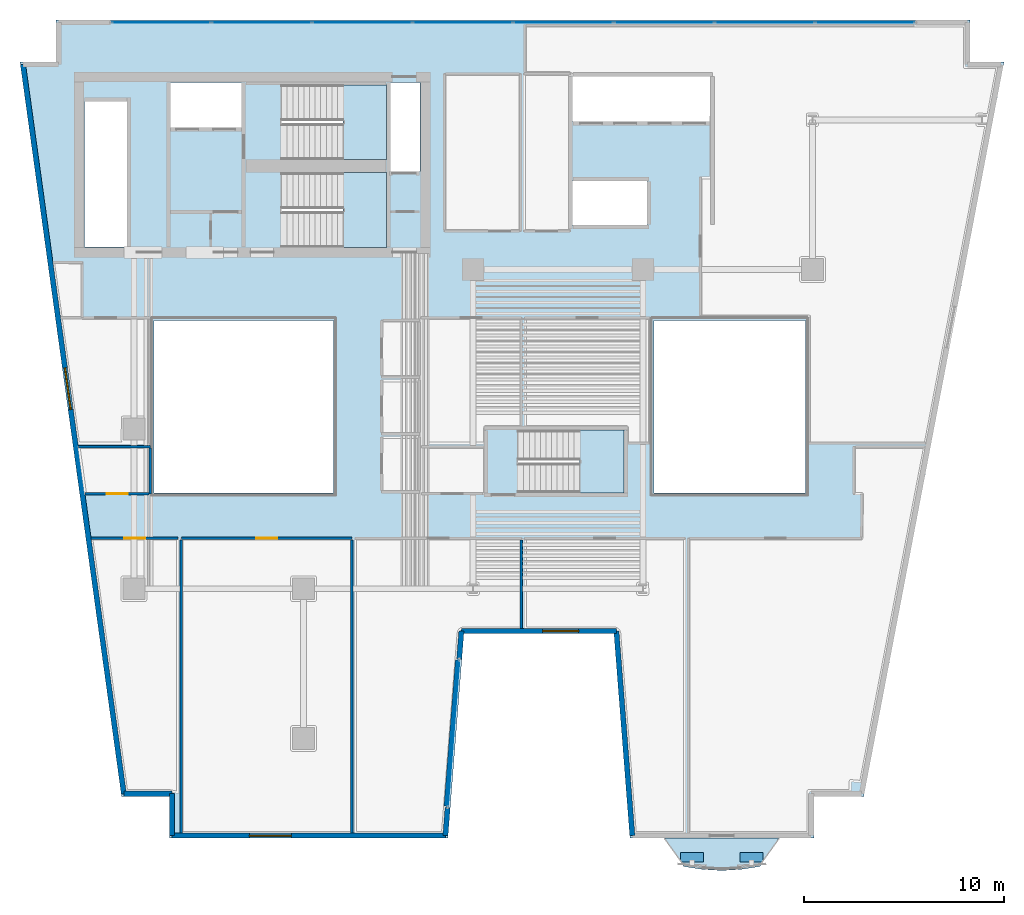
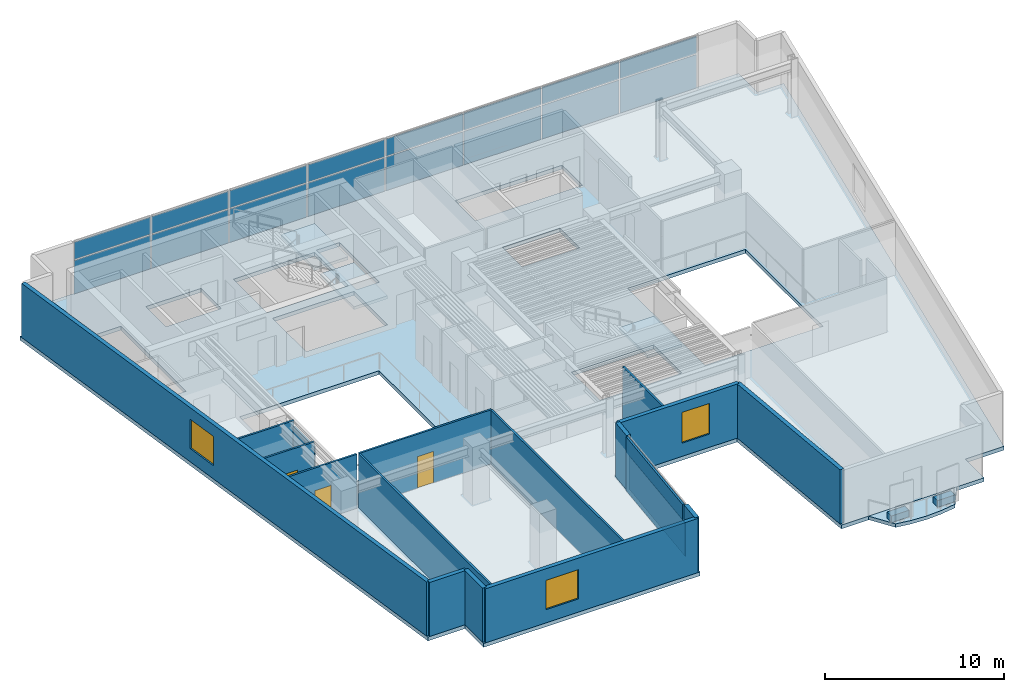
# One storey, part 5 of 12: 20 plates, 17 walls, 5 slabs, 3 doors, 3 windows, 6 openings, 5 elements without a shape of their own.
"""IFC4 building model written with IfcOpenShell, lengths in metres."""

from ifc_helpers import new_model, si_unit, direction, frame, frame_2d, origin, origin_2d, place, context, subcontext, project, spatial, polyline, rectangle, outline, extrude, material, layer, layer_set, type_object, element, fill, aggregate, save


model = new_model("IFC4")

# Units and contexts
model_context = context("Model", 3, precision=1e-05, world=origin(), true_north=direction((0.0, 1.0)))
body_context = subcontext(model_context, "Body", "Model", "MODEL_VIEW")
ifc_project = project(units=[si_unit("LENGTHUNIT", "METRE"), si_unit("AREAUNIT", "SQUARE_METRE"), si_unit("VOLUMEUNIT", "CUBIC_METRE"), si_unit("PLANEANGLEUNIT", "RADIAN"), si_unit("MASSUNIT", "GRAM", prefix="KILO")], contexts=[model_context])

# Site, building, storey
site_placement = place(None, origin())
site = spatial("IfcSite", under=ifc_project, at=site_placement, CompositionType="ELEMENT")
building_placement = place(site_placement, origin())
building = spatial("IfcBuilding", under=site, at=building_placement, Name="Caeloran Harvest Quay", CompositionType="ELEMENT")
storey_placement = place(building_placement, frame((0.0, 0.0, 146.949951171875)))
storey = spatial("IfcBuildingStorey", under=building, at=storey_placement, Name="L34", CompositionType="ELEMENT", Elevation=146.949951171875)

# Slab
ifc_material_1 = material(Name="Concrete C50/60", Category="concrete")
ifc_layer_1 = layer(ifc_material_1, 0.239990234375, Name="Concrete C50/60")
ifc_layer_set_1 = layer_set([ifc_layer_1], Name="Concrete C50/60")
slab_type_1 = type_object("IfcSlabType", Name="BALCONY-BL-240", PredefinedType="FLOOR", material=ifc_layer_set_1)
slab_1_placement = place(storey_placement, frame((0.0, 0.0, -0.239990234375)))
element("IfcSlab", 1, at=slab_1_placement, inside=storey, type_object=slab_type_1, Name="L34 Scalloped Cantilevered Planted Balcony Slab", PredefinedType="FLOOR", context=body_context, shape_type="SweptSolid", body=[
    extrude(outline(polyline([(39.869873046875, 1.080078125), (38.913818359375, 0.93359375), (37.95751953125, 0.8798828125), (37.001220703125, 0.93359375), (36.045166015625, 1.080078125), (35.102294921875, 2.5), (40.812744140625, 2.5), (39.869873046875, 1.080078125)])), origin(), (0.0, 0.0, 1.0), 0.239990234375),
])

# Curtain wall, plates
ifc_material_2 = material(Name="Aluminium 6063-T6 and Low-E Glazing", Category="aluminium")
ifc_layer_2 = layer(ifc_material_2, 0.18994140625, Name="Aluminium 6063-T6 and Low-E Glazing")
ifc_layer_set_2 = layer_set([ifc_layer_2], Name="Aluminium 6063-T6 and Low-E Glazing")
curtain_wall_type = type_object("IfcCurtainWallType", Name="CW-SYS-CW-3", PredefinedType="USERDEFINED", material=ifc_layer_set_2)
curtain_wall_1_placement = place(storey_placement, origin())
curtain_wall_1 = element("IfcCurtainWall", 2, at=curtain_wall_1_placement, inside=storey, type_object=curtain_wall_type, Name="L34 Unitised Curtain Wall CW-3 Run 6", ObjectType="CURTAIN_WALL", PredefinedType="USERDEFINED")
ifc_material_3 = material(Name="Low-E Double Glazed Vision Glass Unit", Category="glass")
ifc_layer_3 = layer(ifc_material_3, 0.035888671875, Name="Low-E Double Glazed Vision Glass Unit")
ifc_layer_set_3 = layer_set([ifc_layer_3], Name="Low-E Double Glazed Vision Glass Unit")
plate_type_1 = type_object("IfcPlateType", Name="CW-VISION-PANEL", PredefinedType="CURTAIN_PANEL", material=ifc_layer_set_3)
plate_1_placement = place(storey_placement, frame((9.871337890625, 43.3701171875, 0.080078125), z_axis=(0.0, 0.0, 1.0), x_axis=(1.0, 0.0, 0.0)))
plate_1 = element("IfcPlate", 3, at=plate_1_placement, type_object=plate_type_1, Name="CW-3 panel 1.1", PredefinedType="CURTAIN_PANEL", context=body_context, shape_type="SweptSolid", body=[
    extrude(rectangle(XDim=4.922607421875, YDim=0.035888671875, at=origin_2d()), origin(), (0.0, 0.0, 1.0), 2.280029296875),
])
plate_2_placement = place(storey_placement, frame((9.871337890625, 43.3701171875, 2.440185546875), z_axis=(0.0, 0.0, 1.0), x_axis=(1.0, 0.0, 0.0)))
plate_2 = element("IfcPlate", 4, at=plate_2_placement, type_object=plate_type_1, Name="CW-3 panel 1.2", PredefinedType="CURTAIN_PANEL", context=body_context, shape_type="SweptSolid", body=[
    extrude(rectangle(XDim=4.922607421875, YDim=0.035888671875, at=origin_2d()), origin(), (0.0, 0.0, 1.0), 1.169921875),
])
plate_3_placement = place(storey_placement, frame((14.893798828125, 43.3701171875, 0.080078125), z_axis=(0.0, 0.0, 1.0), x_axis=(1.0, 0.0, 0.0)))
plate_3 = element("IfcPlate", 5, at=plate_3_placement, type_object=plate_type_1, Name="CW-3 panel 2.1", PredefinedType="CURTAIN_PANEL", context=body_context, shape_type="SweptSolid", body=[
    extrude(rectangle(XDim=4.96240234375, YDim=0.035888671875, at=origin_2d()), origin(), (0.0, 0.0, 1.0), 2.280029296875),
])
plate_4_placement = place(storey_placement, frame((14.893798828125, 43.3701171875, 2.440185546875), z_axis=(0.0, 0.0, 1.0), x_axis=(1.0, 0.0, 0.0)))
plate_4 = element("IfcPlate", 6, at=plate_4_placement, type_object=plate_type_1, Name="CW-3 panel 2.2", PredefinedType="CURTAIN_PANEL", context=body_context, shape_type="SweptSolid", body=[
    extrude(rectangle(XDim=4.96240234375, YDim=0.035888671875, at=origin_2d()), origin(), (0.0, 0.0, 1.0), 1.169921875),
])
plate_5_placement = place(storey_placement, frame((19.936279296875, 43.3701171875, 0.080078125), z_axis=(0.0, 0.0, 1.0), x_axis=(1.0, 0.0, 0.0)))
plate_5 = element("IfcPlate", 7, at=plate_5_placement, type_object=plate_type_1, Name="CW-3 panel 3.1", PredefinedType="CURTAIN_PANEL", context=body_context, shape_type="SweptSolid", body=[
    extrude(rectangle(XDim=4.96240234375, YDim=0.035888671875, at=origin_2d()), origin(), (0.0, 0.0, 1.0), 2.280029296875),
])
plate_6_placement = place(storey_placement, frame((19.936279296875, 43.3701171875, 2.440185546875), z_axis=(0.0, 0.0, 1.0), x_axis=(1.0, 0.0, 0.0)))
plate_6 = element("IfcPlate", 8, at=plate_6_placement, type_object=plate_type_1, Name="CW-3 panel 3.2", PredefinedType="CURTAIN_PANEL", context=body_context, shape_type="SweptSolid", body=[
    extrude(rectangle(XDim=4.96240234375, YDim=0.035888671875, at=origin_2d()), origin(), (0.0, 0.0, 1.0), 1.169921875),
])
plate_7_placement = place(storey_placement, frame((24.978759765625, 43.3701171875, 0.080078125), z_axis=(0.0, 0.0, 1.0), x_axis=(1.0, 0.0, 0.0)))
plate_7 = element("IfcPlate", 9, at=plate_7_placement, type_object=plate_type_1, Name="CW-3 panel 4.1", PredefinedType="CURTAIN_PANEL", context=body_context, shape_type="SweptSolid", body=[
    extrude(rectangle(XDim=4.96240234375, YDim=0.035888671875, at=origin_2d()), origin(), (0.0, 0.0, 1.0), 2.280029296875),
])
plate_8_placement = place(storey_placement, frame((24.978759765625, 43.3701171875, 2.440185546875), z_axis=(0.0, 0.0, 1.0), x_axis=(1.0, 0.0, 0.0)))
plate_8 = element("IfcPlate", 10, at=plate_8_placement, type_object=plate_type_1, Name="CW-3 panel 4.2", PredefinedType="CURTAIN_PANEL", context=body_context, shape_type="SweptSolid", body=[
    extrude(rectangle(XDim=4.96240234375, YDim=0.035888671875, at=origin_2d()), origin(), (0.0, 0.0, 1.0), 1.169921875),
])
plate_9_placement = place(storey_placement, frame((30.021240234375, 43.3701171875, 0.080078125), z_axis=(0.0, 0.0, 1.0), x_axis=(1.0, 0.0, 0.0)))
plate_9 = element("IfcPlate", 11, at=plate_9_placement, type_object=plate_type_1, Name="CW-3 panel 5.1", PredefinedType="CURTAIN_PANEL", context=body_context, shape_type="SweptSolid", body=[
    extrude(rectangle(XDim=4.96240234375, YDim=0.035888671875, at=origin_2d()), origin(), (0.0, 0.0, 1.0), 2.280029296875),
])
plate_10_placement = place(storey_placement, frame((30.021240234375, 43.3701171875, 2.440185546875), z_axis=(0.0, 0.0, 1.0), x_axis=(1.0, 0.0, 0.0)))
plate_10 = element("IfcPlate", 12, at=plate_10_placement, type_object=plate_type_1, Name="CW-3 panel 5.2", PredefinedType="CURTAIN_PANEL", context=body_context, shape_type="SweptSolid", body=[
    extrude(rectangle(XDim=4.96240234375, YDim=0.035888671875, at=origin_2d()), origin(), (0.0, 0.0, 1.0), 1.169921875),
])
plate_11_placement = place(storey_placement, frame((35.063720703125, 43.3701171875, 0.080078125), z_axis=(0.0, 0.0, 1.0), x_axis=(1.0, 0.0, 0.0)))
plate_11 = element("IfcPlate", 13, at=plate_11_placement, type_object=plate_type_1, Name="CW-3 panel 6.1", PredefinedType="CURTAIN_PANEL", context=body_context, shape_type="SweptSolid", body=[
    extrude(rectangle(XDim=4.96240234375, YDim=0.035888671875, at=origin_2d()), origin(), (0.0, 0.0, 1.0), 2.280029296875),
])
plate_12_placement = place(storey_placement, frame((35.063720703125, 43.3701171875, 2.440185546875), z_axis=(0.0, 0.0, 1.0), x_axis=(1.0, 0.0, 0.0)))
plate_12 = element("IfcPlate", 14, at=plate_12_placement, type_object=plate_type_1, Name="CW-3 panel 6.2", PredefinedType="CURTAIN_PANEL", context=body_context, shape_type="SweptSolid", body=[
    extrude(rectangle(XDim=4.96240234375, YDim=0.035888671875, at=origin_2d()), origin(), (0.0, 0.0, 1.0), 1.169921875),
])
plate_13_placement = place(storey_placement, frame((40.106201171875, 43.3701171875, 0.080078125), z_axis=(0.0, 0.0, 1.0), x_axis=(1.0, 0.0, 0.0)))
plate_13 = element("IfcPlate", 15, at=plate_13_placement, type_object=plate_type_1, Name="CW-3 panel 7.1", PredefinedType="CURTAIN_PANEL", context=body_context, shape_type="SweptSolid", body=[
    extrude(rectangle(XDim=4.96240234375, YDim=0.035888671875, at=origin_2d()), origin(), (0.0, 0.0, 1.0), 2.280029296875),
])
plate_14_placement = place(storey_placement, frame((40.106201171875, 43.3701171875, 2.440185546875), z_axis=(0.0, 0.0, 1.0), x_axis=(1.0, 0.0, 0.0)))
plate_14 = element("IfcPlate", 16, at=plate_14_placement, type_object=plate_type_1, Name="CW-3 panel 7.2", PredefinedType="CURTAIN_PANEL", context=body_context, shape_type="SweptSolid", body=[
    extrude(rectangle(XDim=4.96240234375, YDim=0.035888671875, at=origin_2d()), origin(), (0.0, 0.0, 1.0), 1.169921875),
])
plate_15_placement = place(storey_placement, frame((45.128662109375, 43.3701171875, 0.080078125), z_axis=(0.0, 0.0, 1.0), x_axis=(1.0, 0.0, 0.0)))
plate_15 = element("IfcPlate", 17, at=plate_15_placement, type_object=plate_type_1, Name="CW-3 panel 8.1", PredefinedType="CURTAIN_PANEL", context=body_context, shape_type="SweptSolid", body=[
    extrude(rectangle(XDim=4.922607421875, YDim=0.035888671875, at=origin_2d()), origin(), (0.0, 0.0, 1.0), 2.280029296875),
])
plate_16_placement = place(storey_placement, frame((45.128662109375, 43.3701171875, 2.440185546875), z_axis=(0.0, 0.0, 1.0), x_axis=(1.0, 0.0, 0.0)))
plate_16 = element("IfcPlate", 18, at=plate_16_placement, type_object=plate_type_1, Name="CW-3 panel 8.2", PredefinedType="CURTAIN_PANEL", context=body_context, shape_type="SweptSolid", body=[
    extrude(rectangle(XDim=4.922607421875, YDim=0.035888671875, at=origin_2d()), origin(), (0.0, 0.0, 1.0), 1.169921875),
])
aggregate(curtain_wall_1, [plate_1, plate_2, plate_3, plate_4, plate_5, plate_6, plate_7, plate_8, plate_9, plate_10, plate_11, plate_12, plate_13, plate_14, plate_15, plate_16])

curtain_wall_2_placement = place(storey_placement, origin())
curtain_wall_2 = element("IfcCurtainWall", 19, at=curtain_wall_2_placement, inside=storey, type_object=curtain_wall_type, Name="L34 Unitised Curtain Wall CW-3 Run 15", ObjectType="CURTAIN_WALL", PredefinedType="USERDEFINED")
plate_17_placement = place(storey_placement, frame((24.509765625, 7.7548828125, 0.080078125), z_axis=(0.0, 0.0, 1.0), x_axis=(-0.077821861046, -0.996967280277, 0.0)))
plate_17 = element("IfcPlate", 20, at=plate_17_placement, type_object=plate_type_1, Name="CW-3 panel 1.1", PredefinedType="CURTAIN_PANEL", context=body_context, shape_type="SweptSolid", body=[
    extrude(rectangle(XDim=7.3212890625, YDim=0.035888671875, at=origin_2d()), origin(), (0.0, 0.0, 1.0), 2.280029296875),
])
plate_18_placement = place(storey_placement, frame((24.509765625, 7.7548828125, 2.440185546875), z_axis=(0.0, 0.0, 1.0), x_axis=(-0.077821861046, -0.996967280277, 0.0)))
plate_18 = element("IfcPlate", 21, at=plate_18_placement, type_object=plate_type_1, Name="CW-3 panel 1.2", PredefinedType="CURTAIN_PANEL", context=body_context, shape_type="SweptSolid", body=[
    extrude(rectangle(XDim=7.3212890625, YDim=0.035888671875, at=origin_2d()), origin(), (0.0, 0.0, 1.0), 1.169921875),
])
aggregate(curtain_wall_2, [plate_17, plate_18])

# Plates
ifc_material_4 = material(Name="Precast concrete C50/60", Category="concrete")
ifc_layer_4 = layer(ifc_material_4, 0.449951171875, Name="Precast concrete C50/60")
ifc_layer_set_4 = layer_set([ifc_layer_4], Name="Precast concrete C50/60")
plate_type_2 = type_object("IfcPlateType", Name="PLANTER-TROUGH-450", PredefinedType="USERDEFINED", material=ifc_layer_set_4)
for number, where, z_axis, x_axis, name in (
    (22, (39.44921875, 1.544921875, 0.0), (0.0, 0.0, 1.0), (1.0, 0.0, 0.0), "L34 Balcony Vertical-Greenery Precast PLANTER Trough 1"),
    (23, (36.4658203125, 1.544921875, 0.0), (0.0, 0.0, 1.0), (1.0, 0.0, 0.0), "L34 Balcony Vertical-Greenery Precast PLANTER Trough 2"),
):
    element("IfcPlate", number, at=place(storey_placement, frame(where, z_axis=z_axis, x_axis=x_axis)), inside=storey, type_object=plate_type_2, Name=name, ObjectType="PLANTER", PredefinedType="USERDEFINED", context=body_context, shape_type="SweptSolid", body=[
        extrude(rectangle(XDim=1.14990234375, YDim=0.47998046875, at=origin_2d()), origin(), (0.0, 0.0, 1.0), 0.449951171875),
    ])

# Slab
ifc_layer_5 = layer(ifc_material_1, 0.260009765625, Name="Concrete C50/60")
ifc_layer_set_5 = layer_set([ifc_layer_5], Name="Concrete C50/60")
slab_type_2 = type_object("IfcSlabType", Name="SLAB-FS-260", PredefinedType="FLOOR", material=ifc_layer_set_5)
slab_2_placement = place(storey_placement, frame((0.0, 0.0, -0.260009765625)))
element("IfcSlab", 24, at=slab_2_placement, inside=storey, type_object=slab_type_2, Name="L34 Structural Floor Slab", PredefinedType="FLOOR", context=body_context, shape_type="SweptSolid", body=[
    extrude(outline(polyline([(10.27001953125, 2.5), (24.22998046875, 2.5), (25.030029296875, 12.75), (32.554931640625, 12.75), (33.35498046875, 2.5), (42.570068359375, 2.5), (42.570068359375, 4.60009765625), (45.071044921875, 4.60009765625), (52.09912109375, 41.39990234375), (50.39990234375, 41.39990234375), (50.39990234375, 43.5), (4.60009765625, 43.5), (4.60009765625, 41.39990234375), (2.790283203125, 41.39990234375), (7.879638671875, 4.60009765625), (10.27001953125, 4.60009765625), (10.27001953125, 2.5)]), holes=[polyline([(27.75, 19.800048828125), (27.75, 22.949951171875), (33.050048828125, 22.949951171875), (33.050048828125, 19.800048828125), (27.75, 19.800048828125)]), polyline([(18.5, 19.800048828125), (9.5, 19.800048828125), (9.5, 28.449951171875), (18.5, 28.449951171875), (18.5, 19.800048828125)]), polyline([(42.14990234375, 19.800048828125), (34.550048828125, 19.800048828125), (34.550048828125, 28.449951171875), (42.14990234375, 28.449951171875), (42.14990234375, 19.800048828125)]), polyline([(15.89990234375, 35.85009765625), (21.14990234375, 35.85009765625), (21.14990234375, 32.10009765625), (15.89990234375, 32.10009765625), (15.89990234375, 35.85009765625)]), polyline([(30.47998046875, 33.219970703125), (30.47998046875, 35.429931640625), (34.199951171875, 35.429931640625), (34.199951171875, 33.219970703125), (30.47998046875, 33.219970703125)]), polyline([(8.159912109375, 32.1201171875), (6.02001953125, 32.1201171875), (6.02001953125, 39.419921875), (8.159912109375, 39.419921875), (8.159912109375, 32.1201171875)]), polyline([(22.830078125, 35.919921875), (21.35009765625, 35.919921875), (21.35009765625, 40.3798828125), (22.830078125, 40.3798828125), (22.830078125, 35.919921875)]), polyline([(15.89990234375, 36.5), (15.89990234375, 40.25), (21.14990234375, 40.25), (21.14990234375, 36.5), (15.89990234375, 36.5)]), polyline([(10.320068359375, 38.1201171875), (10.320068359375, 40.3798828125), (13.89990234375, 40.3798828125), (13.89990234375, 38.1201171875), (10.320068359375, 38.1201171875)]), polyline([(30.47998046875, 38.419921875), (30.47998046875, 40.679931640625), (37.3798828125, 40.679931640625), (37.3798828125, 38.419921875), (30.47998046875, 38.419921875)])]), origin(), (0.0, 0.0, 1.0), 0.260009765625),
])

# Stair, slab
stair_type_1 = type_object("IfcStairType", Name="STAIR-STC-180", PredefinedType="HALF_TURN_STAIR", material=ifc_material_1)
stair_1_placement = place(storey_placement, origin())
stair_1 = element("IfcStair", 25, at=stair_1_placement, inside=storey, type_object=stair_type_1, Name="L34 Core Pressurized Exit Stair ST-C1", PredefinedType="HALF_TURN_STAIR")
ifc_layer_6 = layer(ifc_material_1, 0.219970703125, Name="Concrete C50/60")
ifc_layer_set_6 = layer_set([ifc_layer_6], Name="Concrete C50/60")
slab_type_3 = type_object("IfcSlabType", Name="STAIR-LANDING-220", PredefinedType="LANDING", material=ifc_layer_set_6)
slab_3_placement = place(storey_placement, frame((0.0, 0.0, 1.775146484375)))
slab_3 = element("IfcSlab", 26, at=slab_3_placement, type_object=slab_type_3, Name="ST-C1 landing 1", PredefinedType="LANDING", context=body_context, shape_type="SweptSolid", body=[
    extrude(outline(polyline([(18.97998046875, 36.5), (21.14990234375, 36.5), (21.14990234375, 40.25), (18.97998046875, 40.25), (18.97998046875, 36.5)])), origin(), (0.0, 0.0, 1.0), 0.199951171875),
])
aggregate(stair_1, [slab_3])

stair_2_placement = place(storey_placement, origin())
stair_2 = element("IfcStair", 27, at=stair_2_placement, inside=storey, type_object=stair_type_1, Name="L34 Core Pressurized Exit Stair ST-C2", PredefinedType="HALF_TURN_STAIR")
slab_4_placement = place(storey_placement, frame((0.0, 0.0, 1.775146484375)))
slab_4 = element("IfcSlab", 28, at=slab_4_placement, type_object=slab_type_3, Name="ST-C2 landing 1", PredefinedType="LANDING", context=body_context, shape_type="SweptSolid", body=[
    extrude(outline(polyline([(18.97998046875, 32.10009765625), (21.14990234375, 32.10009765625), (21.14990234375, 35.85009765625), (18.97998046875, 35.85009765625), (18.97998046875, 32.10009765625)])), origin(), (0.0, 0.0, 1.0), 0.199951171875),
])
aggregate(stair_2, [slab_4])

stair_type_2 = type_object("IfcStairType", Name="STAIR-STW-150", PredefinedType="HALF_TURN_STAIR", material=ifc_material_1)
stair_3_placement = place(storey_placement, origin())
stair_3 = element("IfcStair", 29, at=stair_3_placement, inside=storey, type_object=stair_type_2, Name="L34 East Wing Protected Exit Stair ST-W1", PredefinedType="HALF_TURN_STAIR")
slab_5_placement = place(storey_placement, frame((0.0, 0.0, 1.775146484375)))
slab_5 = element("IfcSlab", 30, at=slab_5_placement, type_object=slab_type_3, Name="ST-W1 landing 1", PredefinedType="LANDING", context=body_context, shape_type="SweptSolid", body=[
    extrude(outline(polyline([(30.830078125, 19.800048828125), (33.050048828125, 19.800048828125), (33.050048828125, 22.949951171875), (30.830078125, 22.949951171875), (30.830078125, 19.800048828125)])), origin(), (0.0, 0.0, 1.0), 0.199951171875),
])
aggregate(stair_3, [slab_5])

# Walls
ifc_layer_7 = layer(ifc_material_4, 0.260009765625, Name="Precast concrete C50/60")
ifc_layer_set_7 = layer_set([ifc_layer_7], Name="Precast concrete C50/60")
wall_type_1 = type_object("IfcWallType", Name="ENV-WALL-EW-260", PredefinedType="STANDARD", material=ifc_layer_set_7)
wall_1_placement = place(storey_placement, frame((10.39990234375, 2.6298828125, 0.0), z_axis=(0.0, 0.0, 1.0), x_axis=(0.0, 1.0, 0.0)))
element("IfcWall", 31, at=wall_1_placement, inside=storey, type_object=wall_type_1, Name="L34 Exterior Precast Concrete Facade Wall 1", PredefinedType="STANDARD", context=body_context, shape_type="SweptSolid", body=[
    extrude(rectangle(XDim=2.10009765625, YDim=0.260009765625, at=frame_2d((1.050048828125, 0.0))), origin(), (0.0, 0.0, 1.0), 3.68994140625),
])
wall_2_placement = place(storey_placement, frame((10.39990234375, 4.72998046875, 0.0), z_axis=(0.0, 0.0, 1.0), x_axis=(-1.0, 0.0, 0.0)))
element("IfcWall", 32, at=wall_2_placement, inside=storey, type_object=wall_type_1, Name="L34 Exterior Precast Concrete Facade Wall 2", PredefinedType="STANDARD", context=body_context, shape_type="SweptSolid", body=[
    extrude(rectangle(XDim=2.406982421875, YDim=0.260009765625, at=frame_2d((1.20361328125, 0.0))), origin(), (0.0, 0.0, 1.0), 3.68994140625),
])

# Wall, opening, window
wall_3_placement = place(storey_placement, frame((7.992919921875, 4.72998046875, 0.0), z_axis=(0.0, 0.0, 1.0), x_axis=(-0.136989009016, 0.990572567462, 0.0)))
wall_3 = element("IfcWall", 33, at=wall_3_placement, inside=storey, type_object=wall_type_1, Name="L34 Exterior Precast Concrete Facade Wall 3", PredefinedType="STANDARD", context=body_context, shape_type="SweptSolid", body=[
    extrude(rectangle(XDim=36.8876953125, YDim=0.260009765625, at=frame_2d((18.44384765625, 0.0))), origin(), (0.0, 0.0, 1.0), 3.68994140625),
])
opening_1_placement = place(wall_3_placement, frame((19.43505859375, 0.0, 0.89990234375)))
opening_1 = element("IfcOpeningElement", 34, at=opening_1_placement, cuts=wall_3, Name="Opening W-06", PredefinedType="OPENING", context=body_context, shape_type="SweptSolid", body=[
    extrude(rectangle(XDim=2.10009765625, YDim=2.0, at=frame_2d((1.050048828125, 1.0))), frame((0.0, 0.14013671875, 0.0), z_axis=(0.0, -1.0, 0.0), x_axis=(1.0, 0.0, 0.0)), (0.0, 0.0, 1.0), 0.280029296875),
])
ifc_material_5 = material(Name="Aluminium-Framed Low-E Laminated Glass", Category="aluminium")
window_type_1 = type_object("IfcWindowType", Name="WIN-W-06", PartitioningType="DOUBLE_PANEL_VERTICAL", PredefinedType="WINDOW", material=ifc_material_5)
window_1_placement = place(opening_1_placement, origin())
window_1 = element("IfcWindow", 35, at=window_1_placement, inside=storey, type_object=window_type_1, Name="L34 Facade Punched Window W-06", OverallHeight=2.0, OverallWidth=2.10009765625, PartitioningType="DOUBLE_PANEL_VERTICAL", PredefinedType="WINDOW", context=body_context, shape_type="SweptSolid", body=[
    extrude(rectangle(XDim=2.10009765625, YDim=2.0, at=frame_2d((1.050048828125, 1.0))), frame((0.0, 0.030029296875, 0.0), z_axis=(0.0, -1.0, 0.0), x_axis=(1.0, 0.0, 0.0)), (0.0, 0.0, 1.0), 0.06005859375),
])
fill(opening_1, window_1)

# Wall
wall_4_placement = place(storey_placement, frame((33.47509765625, 2.6298828125, 0.0), z_axis=(0.0, 0.0, 1.0), x_axis=(-0.077793257511, 0.996969512616, 0.0)))
element("IfcWall", 36, at=wall_4_placement, inside=storey, type_object=wall_type_1, Name="L34 Exterior Precast Concrete Facade Wall 13", PredefinedType="STANDARD", context=body_context, shape_type="SweptSolid", body=[
    extrude(rectangle(XDim=10.28125, YDim=0.260009765625, at=frame_2d((5.140625, 0.0))), origin(), (0.0, 0.0, 1.0), 3.68994140625),
])

# Wall, opening, window
wall_5_placement = place(storey_placement, frame((32.67529296875, 12.8798828125, 0.0), z_axis=(0.0, 0.0, 1.0), x_axis=(-1.0, 0.0, 0.0)))
wall_5 = element("IfcWall", 37, at=wall_5_placement, inside=storey, type_object=wall_type_1, Name="L34 Exterior Precast Concrete Facade Wall 14", PredefinedType="STANDARD", context=body_context, shape_type="SweptSolid", body=[
    extrude(rectangle(XDim=7.765380859375, YDim=0.260009765625, at=frame_2d((3.8828125, 0.0))), origin(), (0.0, 0.0, 1.0), 3.68994140625),
])
opening_2_placement = place(wall_5_placement, frame((1.89599609375, 0.0, 0.89990234375)))
opening_2 = element("IfcOpeningElement", 38, at=opening_2_placement, cuts=wall_5, Name="Opening W-01", PredefinedType="OPENING", context=body_context, shape_type="SweptSolid", body=[
    extrude(rectangle(XDim=1.800048828125, YDim=2.10009765625, at=frame_2d((0.89990234375, 1.050048828125))), frame((0.0, 0.14013671875, 0.0), z_axis=(0.0, -1.0, 0.0), x_axis=(1.0, 0.0, 0.0)), (0.0, 0.0, 1.0), 0.280029296875),
])
window_type_2 = type_object("IfcWindowType", Name="WIN-W-01", PartitioningType="SINGLE_PANEL", PredefinedType="WINDOW", material=ifc_material_5)
window_2_placement = place(opening_2_placement, origin())
window_2 = element("IfcWindow", 39, at=window_2_placement, inside=storey, type_object=window_type_2, Name="L34 Facade Punched Window W-01", OverallHeight=2.10009765625, OverallWidth=1.800048828125, PartitioningType="SINGLE_PANEL", PredefinedType="WINDOW", context=body_context, shape_type="SweptSolid", body=[
    extrude(rectangle(XDim=1.800048828125, YDim=2.10009765625, at=frame_2d((0.89990234375, 1.050048828125))), frame((0.0, 0.030029296875, 0.0), z_axis=(0.0, -1.0, 0.0), x_axis=(1.0, 0.0, 0.0)), (0.0, 0.0, 1.0), 0.06005859375),
])
fill(opening_2, window_2)

# Walls
for number, where, z_axis, x_axis, name in (
    (40, (24.909912109375, 12.8798828125, 0.0), (0.0, 0.0, 1.0), (-0.077949956455, -0.996957273051, 0.0), "L34 Exterior Facade Corner Pier Wall 15A"),
    (41, (24.21875, 4.025634765625, 0.0), (0.0, 0.0, 1.0), (-0.077776627829, -0.996970810086, 0.0), "L34 Exterior Facade Corner Pier Wall 15B"),
):
    element("IfcWall", number, at=place(storey_placement, frame(where, z_axis=z_axis, x_axis=x_axis)), inside=storey, type_object=wall_type_1, Name=name, PredefinedType="STANDARD", context=body_context, shape_type="SweptSolid", body=[
        extrude(rectangle(XDim=1.39990234375, YDim=0.260009765625, at=frame_2d((0.699951171875, 0.0))), origin(), (0.0, 0.0, 1.0), 3.68994140625),
    ])

# Wall, opening, window
wall_6_placement = place(storey_placement, frame((24.10986328125, 2.6298828125, 0.0), z_axis=(0.0, 0.0, 1.0), x_axis=(-1.0, 0.0, 0.0)))
wall_6 = element("IfcWall", 42, at=wall_6_placement, inside=storey, type_object=wall_type_1, Name="L34 Exterior Precast Concrete Facade Wall 16", PredefinedType="STANDARD", context=body_context, shape_type="SweptSolid", body=[
    extrude(rectangle(XDim=13.7099609375, YDim=0.260009765625, at=frame_2d((6.85498046875, 0.0))), origin(), (0.0, 0.0, 1.0), 3.68994140625),
])
opening_3_placement = place(wall_6_placement, frame((7.72412109375, 0.0, 0.89990234375)))
opening_3 = element("IfcOpeningElement", 43, at=opening_3_placement, cuts=wall_6, Name="Opening W-06", PredefinedType="OPENING", context=body_context, shape_type="SweptSolid", body=[
    extrude(rectangle(XDim=2.10009765625, YDim=2.0, at=frame_2d((1.050048828125, 1.0))), frame((0.0, 0.14013671875, 0.0), z_axis=(0.0, -1.0, 0.0), x_axis=(1.0, 0.0, 0.0)), (0.0, 0.0, 1.0), 0.280029296875),
])
window_3_placement = place(opening_3_placement, origin())
window_3 = element("IfcWindow", 44, at=window_3_placement, inside=storey, type_object=window_type_1, Name="L34 Facade Punched Window W-06", OverallHeight=2.0, OverallWidth=2.10009765625, PartitioningType="DOUBLE_PANEL_VERTICAL", PredefinedType="WINDOW", context=body_context, shape_type="SweptSolid", body=[
    extrude(rectangle(XDim=2.10009765625, YDim=2.0, at=frame_2d((1.050048828125, 1.0))), frame((0.0, 0.030029296875, 0.0), z_axis=(0.0, -1.0, 0.0), x_axis=(1.0, 0.0, 0.0)), (0.0, 0.0, 1.0), 0.06005859375),
])
fill(opening_3, window_3)

# Wall, opening, door
ifc_material_6 = material(Name="Twin-Stud Mineral-Wool Acoustic Gypsum Partition", Category="gypsum")
ifc_layer_8 = layer(ifc_material_6, 0.125, Name="Twin-Stud Mineral-Wool Acoustic Gypsum Partition")
ifc_layer_set_8 = layer_set([ifc_layer_8], Name="Twin-Stud Mineral-Wool Acoustic Gypsum Partition")
wall_type_2 = type_object("IfcWallType", Name="INT-WALL-PW-125", PredefinedType="PARTITIONING", material=ifc_layer_set_8)
wall_7_placement = place(storey_placement, frame((10.8798828125, 17.52001953125, 0.0), z_axis=(0.0, 0.0, 1.0), x_axis=(1.0, 0.0, 0.0)))
wall_7 = element("IfcWall", 45, at=wall_7_placement, inside=storey, type_object=wall_type_2, Name="Supply-Chain Digital Trading Floor Office Partition Wall", PredefinedType="PARTITIONING", context=body_context, shape_type="SweptSolid", body=[
    extrude(rectangle(XDim=8.5400390625, YDim=0.125, at=frame_2d((4.27001953125, 0.0))), origin(), (0.0, 0.0, 1.0), 3.68994140625),
])
opening_4_placement = place(wall_7_placement, frame((3.7451171875, 0.0, 0.0)))
opening_4 = element("IfcOpeningElement", 46, at=opening_4_placement, cuts=wall_7, Name="Opening ID-03", PredefinedType="OPENING", context=body_context, shape_type="SweptSolid", body=[
    extrude(rectangle(XDim=1.050048828125, YDim=2.14990234375, at=frame_2d((0.52490234375, 1.074951171875))), frame((0.0, 0.072509765625, 0.0), z_axis=(0.0, -1.0, 0.0), x_axis=(1.0, 0.0, 0.0)), (0.0, 0.0, 1.0), 0.14501953125),
])
ifc_material_7 = material(Name="FSC Solid-Core Oak Timber Leaf", Category="wood")
door_type = type_object("IfcDoorType", Name="INTDOOR-ID-03", OperationType="NOTDEFINED", PredefinedType="DOOR", material=ifc_material_7)
door_1_placement = place(opening_4_placement, origin())
door_1 = element("IfcDoor", 47, at=door_1_placement, inside=storey, type_object=door_type, Name="Supply-Chain Digital Trading Floor Office Access Door", OperationType="SINGLE_SWING_RIGHT", OverallHeight=2.14990234375, OverallWidth=1.050048828125, PredefinedType="DOOR", context=body_context, shape_type="SweptSolid", body=[
    extrude(rectangle(XDim=1.050048828125, YDim=2.14990234375, at=frame_2d((0.52490234375, 1.074951171875))), frame((0.0, 0.02490234375, 0.0), z_axis=(0.0, -1.0, 0.0), x_axis=(1.0, 0.0, 0.0)), (0.0, 0.0, 1.0), 0.050048828125),
])
fill(opening_4, door_1)

# Walls
for number, where, z_axis, x_axis, name in (
    (48, (19.419921875, 17.452392578125, 0.0), (0.0, 0.0, 1.0), (0.0, -1.0, 0.0), "Supply-Chain Digital Trading Floor Office Partition Wall"),
    (49, (10.8798828125, 2.764892578125, 0.0), (0.0, 0.0, 1.0), (0.0, 1.0, 0.0), "Supply-Chain Digital Trading Floor Office Partition Wall"),
):
    element("IfcWall", number, at=place(storey_placement, frame(where, z_axis=z_axis, x_axis=x_axis)), inside=storey, type_object=wall_type_2, Name=name, PredefinedType="PARTITIONING", context=body_context, shape_type="SweptSolid", body=[
        extrude(rectangle(XDim=14.6875, YDim=0.125, at=frame_2d((7.34375, 0.0))), origin(), (0.0, 0.0, 1.0), 3.68994140625),
    ])
wall_8_placement = place(storey_placement, frame((24.665771484375, 11.419921875, 0.0), z_axis=(0.0, 0.0, 1.0), x_axis=(-0.077816821526, -0.996967673642, 0.0)))
element("IfcWall", 50, at=wall_8_placement, inside=storey, type_object=wall_type_2, Name="Climate Risk Modelling Office Partition Wall", PredefinedType="PARTITIONING", context=body_context, shape_type="SweptSolid", body=[
    extrude(rectangle(XDim=7.33203125, YDim=0.125, at=frame_2d((3.666015625, 0.0))), origin(), (0.0, 0.0, 1.0), 3.68994140625),
])
wall_9_placement = place(storey_placement, frame((27.919921875, 17.452392578125, 0.0), z_axis=(0.0, 0.0, 1.0), x_axis=(0.0, -1.0, 0.0)))
element("IfcWall", 51, at=wall_9_placement, inside=storey, type_object=wall_type_2, Name="Climate Risk Modelling Office Partition Wall", PredefinedType="PARTITIONING", context=body_context, shape_type="SweptSolid", body=[
    extrude(rectangle(XDim=4.4375, YDim=0.125, at=frame_2d((2.21875, 0.0))), origin(), (0.0, 0.0, 1.0), 3.68994140625),
])

# Wall, opening, door
wall_10_placement = place(storey_placement, frame((6.3603515625, 17.52001953125, 0.0), z_axis=(0.0, 0.0, 1.0), x_axis=(1.0, 0.0, 0.0)))
wall_10 = element("IfcWall", 52, at=wall_10_placement, inside=storey, type_object=wall_type_2, Name="Quantitative Analytics Office Partition Wall", PredefinedType="PARTITIONING", context=body_context, shape_type="SweptSolid", body=[
    extrude(rectangle(XDim=4.359619140625, YDim=0.125, at=frame_2d((2.1796875, 0.0))), origin(), (0.0, 0.0, 1.0), 3.68994140625),
])
opening_5_placement = place(wall_10_placement, frame((1.65478515625, 0.0, 0.0)))
opening_5 = element("IfcOpeningElement", 53, at=opening_5_placement, cuts=wall_10, Name="Opening ID-03", PredefinedType="OPENING", context=body_context, shape_type="SweptSolid", body=[
    extrude(rectangle(XDim=1.050048828125, YDim=2.14990234375, at=frame_2d((0.52490234375, 1.074951171875))), frame((0.0, 0.072509765625, 0.0), z_axis=(0.0, -1.0, 0.0), x_axis=(1.0, 0.0, 0.0)), (0.0, 0.0, 1.0), 0.14501953125),
])
door_2_placement = place(opening_5_placement, origin())
door_2 = element("IfcDoor", 54, at=door_2_placement, inside=storey, type_object=door_type, Name="Quantitative Analytics Office Access Door", OperationType="SINGLE_SWING_LEFT", OverallHeight=2.14990234375, OverallWidth=1.050048828125, PredefinedType="DOOR", context=body_context, shape_type="SweptSolid", body=[
    extrude(rectangle(XDim=1.050048828125, YDim=2.14990234375, at=frame_2d((0.52490234375, 1.074951171875))), frame((0.0, 0.02490234375, 0.0), z_axis=(0.0, -1.0, 0.0), x_axis=(1.0, 0.0, 0.0)), (0.0, 0.0, 1.0), 0.050048828125),
])
fill(opening_5, door_2)

# Walls
wall_11_placement = place(storey_placement, frame((5.72412109375, 22.1201171875, 0.0), z_axis=(0.0, 0.0, 1.0), x_axis=(1.0, 0.0, 0.0)))
element("IfcWall", 55, at=wall_11_placement, inside=storey, type_object=wall_type_2, Name="Breakout Dining Kitchen Partition Wall", PredefinedType="PARTITIONING", context=body_context, shape_type="SweptSolid", body=[
    extrude(rectangle(XDim=3.595947265625, YDim=0.125, at=frame_2d((1.7978515625, 0.0))), origin(), (0.0, 0.0, 1.0), 3.68994140625),
])
wall_12_placement = place(storey_placement, frame((9.320068359375, 22.052490234375, 0.0), z_axis=(0.0, 0.0, 1.0), x_axis=(0.0, -1.0, 0.0)))
element("IfcWall", 56, at=wall_12_placement, inside=storey, type_object=wall_type_2, Name="Breakout Dining Kitchen Partition Wall", PredefinedType="PARTITIONING", context=body_context, shape_type="SweptSolid", body=[
    extrude(rectangle(XDim=2.302490234375, YDim=0.125, at=frame_2d((1.1513671875, 0.0))), origin(), (0.0, 0.0, 1.0), 3.31494140625),
])

# Wall, opening, door
wall_13_placement = place(storey_placement, frame((9.25244140625, 19.75, 0.0), z_axis=(0.0, 0.0, 1.0), x_axis=(-1.0, 0.0, 0.0)))
wall_13 = element("IfcWall", 57, at=wall_13_placement, inside=storey, type_object=wall_type_2, Name="Breakout Dining Kitchen Partition Wall", PredefinedType="PARTITIONING", context=body_context, shape_type="SweptSolid", body=[
    extrude(rectangle(XDim=3.200439453125, YDim=0.125, at=frame_2d((1.60009765625, 0.0))), origin(), (0.0, 0.0, 1.0), 3.68994140625),
])
opening_6_placement = place(wall_13_placement, frame((1.0751953125, 0.0, 0.0)))
opening_6 = element("IfcOpeningElement", 58, at=opening_6_placement, cuts=wall_13, Name="Opening ID-03", PredefinedType="OPENING", context=body_context, shape_type="SweptSolid", body=[
    extrude(rectangle(XDim=1.050048828125, YDim=2.14990234375, at=frame_2d((0.52490234375, 1.074951171875))), frame((0.0, 0.072509765625, 0.0), z_axis=(0.0, -1.0, 0.0), x_axis=(1.0, 0.0, 0.0)), (0.0, 0.0, 1.0), 0.14501953125),
])
door_3_placement = place(opening_6_placement, origin())
door_3 = element("IfcDoor", 59, at=door_3_placement, inside=storey, type_object=door_type, Name="Breakout Dining Kitchen Access Door", OperationType="SINGLE_SWING_RIGHT", OverallHeight=2.14990234375, OverallWidth=1.050048828125, PredefinedType="DOOR", context=body_context, shape_type="SweptSolid", body=[
    extrude(rectangle(XDim=1.050048828125, YDim=2.14990234375, at=frame_2d((0.52490234375, 1.074951171875))), frame((0.0, 0.02490234375, 0.0), z_axis=(0.0, -1.0, 0.0), x_axis=(1.0, 0.0, 0.0)), (0.0, 0.0, 1.0), 0.050048828125),
])
fill(opening_6, door_3)

save(model, "model.ifc")
